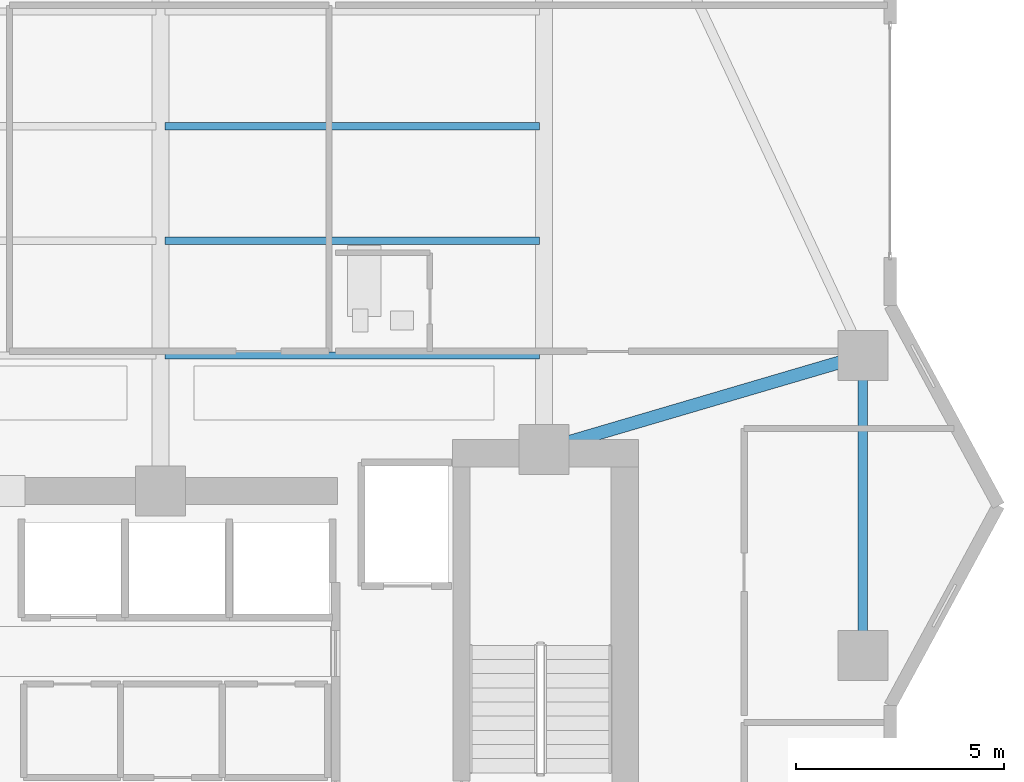
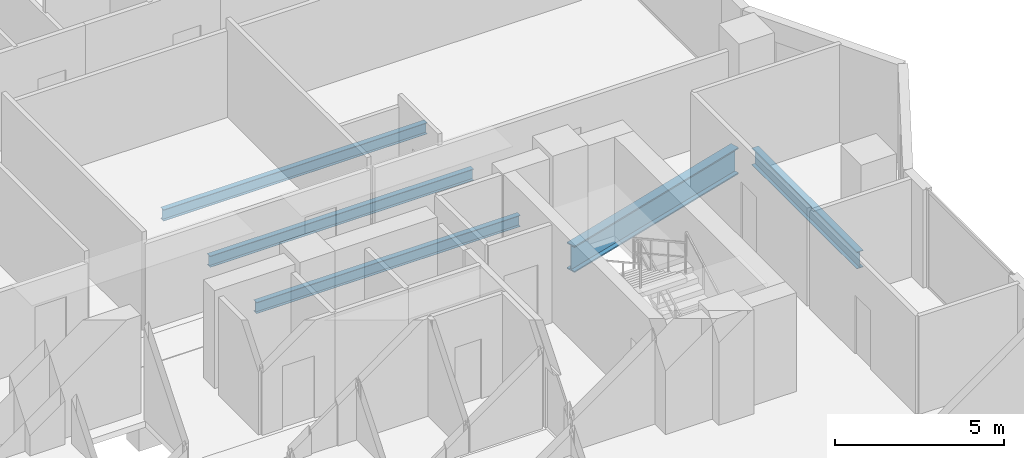
# One storey, part 13 of 33: 5 beams.
"""IFC4 building model written with IfcOpenShell, lengths in metres."""

from ifc_helpers import new_model, si_unit, direction, frame, origin, origin_2d, place, context, subcontext, project, spatial, i_section, extrude, material, material_profile, profile_set, type_object, element, save


model = new_model("IFC4")

# Units and contexts
model_context = context("Model", 3, precision=1e-05, world=origin(), true_north=direction((0.0, 1.0)))
body_context = subcontext(model_context, "Body", "Model", "MODEL_VIEW")
ifc_project = project(units=[si_unit("LENGTHUNIT", "METRE"), si_unit("AREAUNIT", "SQUARE_METRE"), si_unit("VOLUMEUNIT", "CUBIC_METRE"), si_unit("PLANEANGLEUNIT", "RADIAN"), si_unit("MASSUNIT", "GRAM", prefix="KILO")], contexts=[model_context])

# Site, building, storey
site_placement = place(None, origin())
site = spatial("IfcSite", under=ifc_project, at=site_placement, CompositionType="ELEMENT")
building_placement = place(site_placement, origin())
building = spatial("IfcBuilding", under=site, at=building_placement, Name="Zuhayl Quay Hotel", CompositionType="ELEMENT")
storey_placement = place(building_placement, frame((0.0, 0.0, 222.39990234375)))
storey = spatial("IfcBuildingStorey", under=building, at=storey_placement, Name="L56", CompositionType="ELEMENT", Elevation=222.39990234375)

# Beams
ifc_material = material(Name="Steel ASTM A992 Grade 50", Category="steel")
ifc_material_profile_1 = material_profile(ifc_material, i_section(OverallWidth=0.22802734375, OverallDepth=0.60693359375, WebThickness=0.01123046875, FlangeThickness=0.017333984375, at=origin_2d()), Name="W24X76")
ifc_profile_set_1 = profile_set([ifc_material_profile_1], Name="Steel ASTM A992 Grade 50")
beam_type_1 = type_object("IfcBeamType", Name="BM_B3_W24X76", PredefinedType="BEAM", material=ifc_profile_set_1)
beam_1_placement = place(storey_placement, frame((21.449951171875, 9.89990234375, -0.5234375), z_axis=(0.0, 1.0, 0.0), x_axis=(-1.0, 0.0, 0.0)))
element("IfcBeam", 1, at=beam_1_placement, inside=storey, type_object=beam_type_1, Name="L56 Floor Beam RG_L56_05", PredefinedType="BEAM", context=body_context, shape_type="SweptSolid", body=[
    extrude(i_section(OverallWidth=0.22802734375, OverallDepth=0.60693359375, WebThickness=0.01123046875, FlangeThickness=0.017333984375, at=origin_2d()), origin(), (0.0, 0.0, 1.0), 6.2001953125),
])
ifc_material_profile_2 = material_profile(ifc_material, i_section(OverallWidth=0.177978515625, OverallDepth=0.406005859375, WebThickness=0.0078125, FlangeThickness=0.0126953125, at=origin_2d()), Name="W16X40")
ifc_profile_set_2 = profile_set([ifc_material_profile_2], Name="Steel ASTM A992 Grade 50")
beam_type_2 = type_object("IfcBeamType", Name="BM_J2B_W16X40", PredefinedType="JOIST", material=ifc_profile_set_2)
for number, where, z_axis, x_axis, name in (
    (2, (4.7060546875, 16.60009765625, -0.4228515625), (1.0, 0.0, 0.0), (0.0, 1.0, 0.0), "L56 Floor Beam FJ_L56_1_3"),
    (3, (4.7060546875, 19.35009765625, -0.4228515625), (1.0, 0.0, 0.0), (0.0, 1.0, 0.0), "L56 Floor Beam FJ_L56_2_3"),
    (4, (4.7060546875, 22.10009765625, -0.4228515625), (1.0, 0.0, 0.0), (0.0, 1.0, 0.0), "L56 Floor Beam FJ_L56_3_3"),
):
    element("IfcBeam", number, at=place(storey_placement, frame(where, z_axis=z_axis, x_axis=x_axis)), inside=storey, type_object=beam_type_2, Name=name, PredefinedType="JOIST", context=body_context, shape_type="SweptSolid", body=[
        extrude(i_section(OverallWidth=0.177978515625, OverallDepth=0.406005859375, WebThickness=0.0078125, FlangeThickness=0.0126953125, at=origin_2d()), origin(), (0.0, 0.0, 1.0), 8.988037109375),
    ])
ifc_material_profile_3 = material_profile(ifc_material, i_section(OverallWidth=0.31005859375, OverallDepth=0.949951171875, WebThickness=0.0244140625, FlangeThickness=0.0439453125, at=origin_2d()), Name="W36X256")
ifc_profile_set_3 = profile_set([ifc_material_profile_3], Name="Steel ASTM A992 Grade 50")
beam_type_3 = type_object("IfcBeamType", Name="BM_PG1_W36X256", PredefinedType="BEAM", material=ifc_profile_set_3)
beam_2_placement = place(storey_placement, frame((14.231689453125, 14.47705078125, -0.69482421875), z_axis=(0.959364948093, 0.282168205812, 0.0), x_axis=(-0.282168205812, 0.959364948093, 0.0)))
element("IfcBeam", 5, at=beam_2_placement, inside=storey, type_object=beam_type_3, Name="L56 Floor Beam FG_E_L56_2", PredefinedType="BEAM", context=body_context, shape_type="SweptSolid", body=[
    extrude(i_section(OverallWidth=0.31005859375, OverallDepth=0.949951171875, WebThickness=0.0244140625, FlangeThickness=0.0439453125, at=origin_2d()), origin(), (0.0, 0.0, 1.0), 7.02392578125),
])

save(model, "model.ifc")
